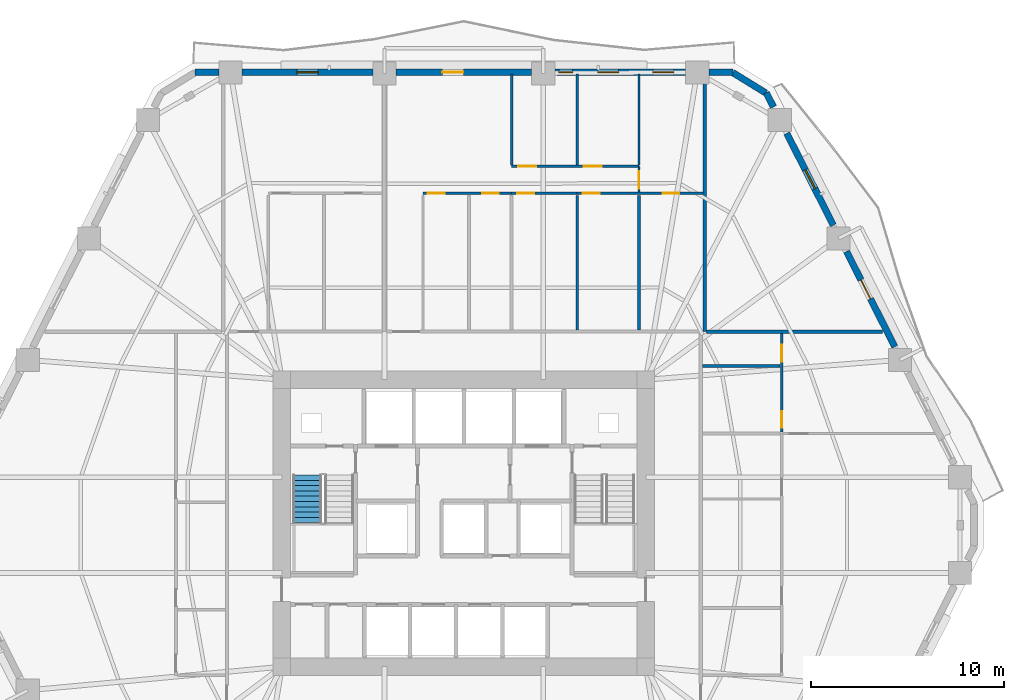
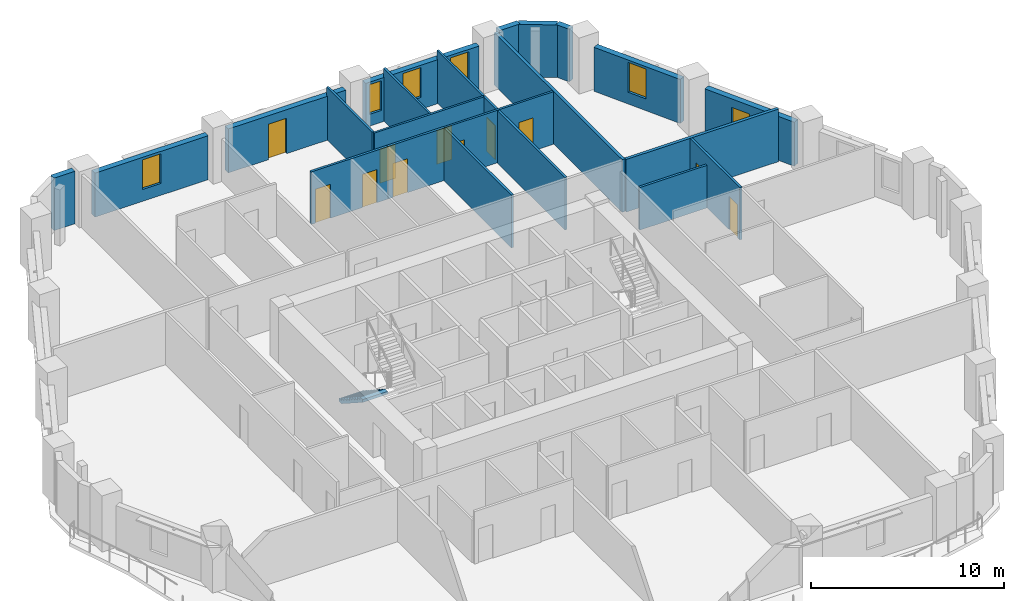
# One storey, part 7 of 13: 23 walls, 12 doors, 5 windows, 1 stair flight, 17 openings, 1 element without a shape of its own.
"""IFC4 building model written with IfcOpenShell, lengths in metres."""

from ifc_helpers import new_model, si_unit, direction, frame, frame_2d, origin, place, context, subcontext, project, spatial, polyline, rectangle, outline, extrude, material, layer, layer_set, type_object, element, fill, aggregate, save


model = new_model("IFC4")

# Units and contexts
model_context = context("Model", 3, precision=1e-05, world=origin(), true_north=direction((0.0, 1.0)))
body_context = subcontext(model_context, "Body", "Model", "MODEL_VIEW")
ifc_project = project(units=[si_unit("LENGTHUNIT", "METRE"), si_unit("AREAUNIT", "SQUARE_METRE"), si_unit("VOLUMEUNIT", "CUBIC_METRE"), si_unit("PLANEANGLEUNIT", "RADIAN"), si_unit("MASSUNIT", "GRAM", prefix="KILO")], contexts=[model_context])

# Site, building, storey
site_placement = place(None, origin())
site = spatial("IfcSite", under=ifc_project, at=site_placement, CompositionType="ELEMENT")
building_placement = place(site_placement, origin())
building = spatial("IfcBuilding", under=site, at=building_placement, Name="Cinnabar Lancet Tower", CompositionType="ELEMENT")
storey_placement = place(building_placement, frame((0.0, 0.0, 63.949951171875)))
storey = spatial("IfcBuildingStorey", under=building, at=storey_placement, Name="L16", CompositionType="ELEMENT", Elevation=63.949951171875)

# Walls
ifc_material_1 = material(Name="Fire-rated twin-frame acoustic drywall", Category="gypsum")
ifc_layer_1 = layer(ifc_material_1, 0.179931640625)
ifc_layer_set_1 = layer_set([ifc_layer_1], Name="Fire-rated twin-frame acoustic drywall")
wall_type_1 = type_object("IfcWallType", Name="ARC-WL-PARTY-180", PredefinedType="PARTITIONING", material=ifc_layer_set_1)
wall_1_placement = place(storey_placement, frame((44.89990234375, 35.85009765625, 0.0), z_axis=(0.0, 0.0, 1.0), x_axis=(0.0, 1.0, 0.0)))
element("IfcWall", 1, at=wall_1_placement, inside=storey, type_object=wall_type_1, Name="PW-L16-NPTY-449", PredefinedType="PARTITIONING", context=body_context, shape_type="SweptSolid", body=[
    extrude(rectangle(XDim=13.294921875, YDim=0.179931640625, at=frame_2d((6.6474609375, 0.0))), origin(), (0.0, 0.0, 1.0), 3.330078125),
])
wall_2_placement = place(storey_placement, frame((44.9951171875, 35.85009765625, 0.0), z_axis=(0.0, 0.0, 1.0), x_axis=(1.0, 0.0, 0.0)))
element("IfcWall", 2, at=wall_2_placement, inside=storey, type_object=wall_type_1, Name="PW-L16-ENB", PredefinedType="PARTITIONING", context=body_context, shape_type="SweptSolid", body=[
    extrude(rectangle(XDim=9.139892578125, YDim=0.179931640625, at=frame_2d((4.56982421875, 0.0))), origin(), (0.0, 0.0, 1.0), 3.330078125),
])

# Wall, openings, doors
ifc_material_2 = material(Name="Gypsum plasterboard stud partition", Category="gypsum")
ifc_layer_2 = layer(ifc_material_2, 0.125)
ifc_layer_set_2 = layer_set([ifc_layer_2], Name="Gypsum plasterboard stud partition")
wall_type_2 = type_object("IfcWallType", Name="ARC-WL-UNIT-125", PredefinedType="PARTITIONING", material=ifc_layer_set_2)
wall_3_placement = place(storey_placement, frame((38.284912109375, 43.029052734375, 0.0), z_axis=(0.0, 0.0, 1.0), x_axis=(1.0, 0.0, 0.0)))
wall_3 = element("IfcWall", 3, at=wall_3_placement, inside=storey, type_object=wall_type_2, Name="UW-L16-N02-SP2", PredefinedType="PARTITIONING", context=body_context, shape_type="SweptSolid", body=[
    extrude(rectangle(XDim=6.52001953125, YDim=0.125, at=frame_2d((3.260009765625, 0.0))), origin(), (0.0, 0.0, 1.0), 3.330078125),
])
opening_1_placement = place(wall_3_placement, frame((4.43896484375, 0.0, 0.0)))
opening_1 = element("IfcOpeningElement", 4, at=opening_1_placement, cuts=wall_3, Name="Opening BD-01", PredefinedType="OPENING", context=body_context, shape_type="SweptSolid", body=[
    extrude(rectangle(XDim=0.860107421875, YDim=2.10009765625, at=frame_2d((0.43017578125, 1.050048828125))), frame((0.0, 0.072509765625, 0.0), z_axis=(0.0, -1.0, 0.0), x_axis=(1.0, 0.0, 0.0)), (0.0, 0.0, 1.0), 0.14501953125),
])
opening_2_placement = place(wall_3_placement, frame((0.300048828125, 0.0, 0.0)))
opening_2 = element("IfcOpeningElement", 5, at=opening_2_placement, cuts=wall_3, Name="Opening RD-02", PredefinedType="OPENING", context=body_context, shape_type="SweptSolid", body=[
    extrude(rectangle(XDim=0.8798828125, YDim=2.14990234375, at=frame_2d((0.43994140625, 1.074951171875))), frame((0.0, 0.072509765625, 0.0), z_axis=(0.0, -1.0, 0.0), x_axis=(1.0, 0.0, 0.0)), (0.0, 0.0, 1.0), 0.14501953125),
])
ifc_material_3 = material(Name="Moisture-resistant timber bathroom door", Category="wood")
door_type_1 = type_object("IfcDoorType", Name="ARC-DR-BATH", OperationType="NOTDEFINED", PredefinedType="DOOR", material=ifc_material_3)
door_1_placement = place(opening_1_placement, origin())
door_1 = element("IfcDoor", 6, at=door_1_placement, inside=storey, type_object=door_type_1, Name="DR-L16-N02-ENS", OperationType="SINGLE_SWING_LEFT", OverallHeight=2.10009765625, OverallWidth=0.860107421875, PredefinedType="DOOR", context=body_context, shape_type="SweptSolid", body=[
    extrude(rectangle(XDim=0.860107421875, YDim=2.10009765625, at=frame_2d((0.43017578125, 1.050048828125))), frame((0.0, 0.02490234375, 0.0), z_axis=(0.0, -1.0, 0.0), x_axis=(1.0, 0.0, 0.0)), (0.0, 0.0, 1.0), 0.050048828125),
])
fill(opening_1, door_1)
ifc_material_4 = material(Name="Engineered timber study door", Category="wood")
door_type_2 = type_object("IfcDoorType", Name="ARC-DR-STUDY", OperationType="NOTDEFINED", PredefinedType="DOOR", material=ifc_material_4)
door_2_placement = place(opening_2_placement, origin())
door_2 = element("IfcDoor", 7, at=door_2_placement, inside=storey, type_object=door_type_2, Name="DR-L16-N02-DRS", OperationType="SINGLE_SWING_RIGHT", OverallHeight=2.14990234375, OverallWidth=0.8798828125, PredefinedType="DOOR", context=body_context, shape_type="SweptSolid", body=[
    extrude(rectangle(XDim=0.8798828125, YDim=2.14990234375, at=frame_2d((0.43994140625, 1.074951171875))), frame((0.0, 0.02490234375, 0.0), z_axis=(0.0, -1.0, 0.0), x_axis=(1.0, 0.0, 0.0)), (0.0, 0.0, 1.0), 0.050048828125),
])
fill(opening_2, door_2)

# Wall
wall_4_placement = place(storey_placement, frame((34.8779296875, 44.493896484375, 0.0), z_axis=(0.0, 0.0, 1.0), x_axis=(0.0, 1.0, 0.0)))
element("IfcWall", 8, at=wall_4_placement, inside=storey, type_object=wall_type_2, Name="UW-L16-N02-BD2W", PredefinedType="PARTITIONING", context=body_context, shape_type="SweptSolid", body=[
    extrude(rectangle(XDim=4.7412109375, YDim=0.125, at=frame_2d((2.37060546875, 0.0))), origin(), (0.0, 0.0, 1.0), 3.330078125),
])

# Wall, openings, doors
wall_5_placement = place(storey_placement, frame((34.8779296875, 44.428955078125, 0.0), z_axis=(0.0, 0.0, 1.0), x_axis=(1.0, 0.0, 0.0)))
wall_5 = element("IfcWall", 9, at=wall_5_placement, inside=storey, type_object=wall_type_2, Name="UW-L16-N02-HLN", PredefinedType="PARTITIONING", context=body_context, shape_type="SweptSolid", body=[
    extrude(rectangle(XDim=6.614990234375, YDim=0.125, at=frame_2d((3.3076171875, 0.0))), origin(), (0.0, 0.0, 1.0), 3.330078125),
])
opening_3_placement = place(wall_5_placement, frame((0.35009765625, 0.0, 0.0)))
opening_3 = element("IfcOpeningElement", 10, at=opening_3_placement, cuts=wall_5, Name="Opening RD-01", PredefinedType="OPENING", context=body_context, shape_type="SweptSolid", body=[
    extrude(rectangle(XDim=0.919921875, YDim=2.14990234375, at=frame_2d((0.4599609375, 1.074951171875))), frame((0.0, 0.072509765625, 0.0), z_axis=(0.0, -1.0, 0.0), x_axis=(1.0, 0.0, 0.0)), (0.0, 0.0, 1.0), 0.14501953125),
])
opening_4_placement = place(wall_5_placement, frame((3.757080078125, 0.0, 0.0)))
opening_4 = element("IfcOpeningElement", 11, at=opening_4_placement, cuts=wall_5, Name="Opening RD-01", PredefinedType="OPENING", context=body_context, shape_type="SweptSolid", body=[
    extrude(rectangle(XDim=0.919921875, YDim=2.14990234375, at=frame_2d((0.4599609375, 1.074951171875))), frame((0.0, 0.072509765625, 0.0), z_axis=(0.0, -1.0, 0.0), x_axis=(1.0, 0.0, 0.0)), (0.0, 0.0, 1.0), 0.14501953125),
])
ifc_material_5 = material(Name="Engineered timber bedroom door", Category="wood")
door_type_3 = type_object("IfcDoorType", Name="ARC-DR-ROOM", OperationType="NOTDEFINED", PredefinedType="DOOR", material=ifc_material_5)
door_3_placement = place(opening_3_placement, origin())
door_3 = element("IfcDoor", 12, at=door_3_placement, inside=storey, type_object=door_type_3, Name="DR-L16-N02-BD2", OperationType="SINGLE_SWING_LEFT", OverallHeight=2.14990234375, OverallWidth=0.919921875, PredefinedType="DOOR", context=body_context, shape_type="SweptSolid", body=[
    extrude(rectangle(XDim=0.919921875, YDim=2.14990234375, at=frame_2d((0.4599609375, 1.074951171875))), frame((0.0, 0.02490234375, 0.0), z_axis=(0.0, -1.0, 0.0), x_axis=(1.0, 0.0, 0.0)), (0.0, 0.0, 1.0), 0.050048828125),
])
fill(opening_3, door_3)
door_4_placement = place(opening_4_placement, origin())
door_4 = element("IfcDoor", 13, at=door_4_placement, inside=storey, type_object=door_type_3, Name="DR-L16-N02-BD3", OperationType="SINGLE_SWING_RIGHT", OverallHeight=2.14990234375, OverallWidth=0.919921875, PredefinedType="DOOR", context=body_context, shape_type="SweptSolid", body=[
    extrude(rectangle(XDim=0.919921875, YDim=2.14990234375, at=frame_2d((0.4599609375, 1.074951171875))), frame((0.0, 0.02490234375, 0.0), z_axis=(0.0, -1.0, 0.0), x_axis=(1.0, 0.0, 0.0)), (0.0, 0.0, 1.0), 0.050048828125),
])
fill(opening_4, door_4)

# Wall, opening, door
wall_6_placement = place(storey_placement, frame((41.492919921875, 43.09912109375, 0.0), z_axis=(0.0, 0.0, 1.0), x_axis=(0.0, 1.0, 0.0)))
wall_6 = element("IfcWall", 14, at=wall_6_placement, inside=storey, type_object=wall_type_2, Name="UW-L16-N02-MBE", PredefinedType="PARTITIONING", context=body_context, shape_type="SweptSolid", body=[
    extrude(rectangle(XDim=1.329833984375, YDim=0.125, at=frame_2d((0.6650390625, 0.0))), origin(), (0.0, 0.0, 1.0), 3.330078125),
])
opening_5_placement = place(wall_6_placement, frame((0.159912109375, 0.0, 0.0)))
opening_5 = element("IfcOpeningElement", 15, at=opening_5_placement, cuts=wall_6, Name="Opening RD-01", PredefinedType="OPENING", context=body_context, shape_type="SweptSolid", body=[
    extrude(rectangle(XDim=0.919921875, YDim=2.14990234375, at=frame_2d((0.4599609375, 1.074951171875))), frame((0.0, 0.072509765625, 0.0), z_axis=(0.0, -1.0, 0.0), x_axis=(1.0, 0.0, 0.0)), (0.0, 0.0, 1.0), 0.14501953125),
])
door_5_placement = place(opening_5_placement, origin())
door_5 = element("IfcDoor", 16, at=door_5_placement, inside=storey, type_object=door_type_3, Name="DR-L16-N02-MBD", OperationType="SINGLE_SWING_LEFT", OverallHeight=2.14990234375, OverallWidth=0.919921875, PredefinedType="DOOR", context=body_context, shape_type="SweptSolid", body=[
    extrude(rectangle(XDim=0.919921875, YDim=2.14990234375, at=frame_2d((0.4599609375, 1.074951171875))), frame((0.0, 0.02490234375, 0.0), z_axis=(0.0, -1.0, 0.0), x_axis=(1.0, 0.0, 0.0)), (0.0, 0.0, 1.0), 0.050048828125),
])
fill(opening_5, door_5)

# Walls
for number, where, z_axis, x_axis, name in (
    (17, (38.284912109375, 44.493896484375, 0.0), (0.0, 0.0, 1.0), (0.0, 1.0, 0.0), "UW-L16-N02-MB2W"),
    (18, (41.492919921875, 44.493896484375, 0.0), (0.0, 0.0, 1.0), (0.0, 1.0, 0.0), "UW-L16-N02-B23W"),
):
    element("IfcWall", number, at=place(storey_placement, frame(where, z_axis=z_axis, x_axis=x_axis)), inside=storey, type_object=wall_type_2, Name=name, PredefinedType="PARTITIONING", context=body_context, shape_type="SweptSolid", body=[
        extrude(rectangle(XDim=4.7412109375, YDim=0.125, at=frame_2d((2.37060546875, 0.0))), origin(), (0.0, 0.0, 1.0), 3.330078125),
    ])

# Wall, openings, doors
ifc_material_6 = material(Name="Moisture-resistant cement-board plumbing wall", Category="masonry")
ifc_layer_3 = layer(ifc_material_6, 0.139892578125)
ifc_layer_set_3 = layer_set([ifc_layer_3], Name="Moisture-resistant cement-board plumbing wall")
wall_type_3 = type_object("IfcWallType", Name="ARC-WL-WET-140", PredefinedType="PLUMBINGWALL", material=ifc_layer_set_3)
wall_7_placement = place(storey_placement, frame((30.278076171875, 43.029052734375, 0.0), z_axis=(0.0, 0.0, 1.0), x_axis=(1.0, 0.0, 0.0)))
wall_7 = element("IfcWall", 19, at=wall_7_placement, inside=storey, type_object=wall_type_3, Name="UW-L16-N02-SPL", PredefinedType="PLUMBINGWALL", context=body_context, shape_type="SweptSolid", body=[
    extrude(rectangle(XDim=4.599853515625, YDim=0.139892578125, at=frame_2d((2.2998046875, 0.0))), origin(), (0.0, 0.0, 1.0), 3.330078125),
])
opening_6_placement = place(wall_7_placement, frame((3.071044921875, 0.0, 0.0)))
opening_6 = element("IfcOpeningElement", 20, at=opening_6_placement, cuts=wall_7, Name="Opening BD-01", PredefinedType="OPENING", context=body_context, shape_type="SweptSolid", body=[
    extrude(rectangle(XDim=0.860107421875, YDim=2.10009765625, at=frame_2d((0.43017578125, 1.050048828125))), frame((0.0, 0.079833984375, 0.0), z_axis=(0.0, -1.0, 0.0), x_axis=(1.0, 0.0, 0.0)), (0.0, 0.0, 1.0), 0.159912109375),
])
opening_7_placement = place(wall_7_placement, frame((0.260009765625, 0.0, 0.0)))
opening_7 = element("IfcOpeningElement", 21, at=opening_7_placement, cuts=wall_7, Name="Opening RD-02", PredefinedType="OPENING", context=body_context, shape_type="SweptSolid", body=[
    extrude(rectangle(XDim=0.8798828125, YDim=2.14990234375, at=frame_2d((0.43994140625, 1.074951171875))), frame((0.0, 0.079833984375, 0.0), z_axis=(0.0, -1.0, 0.0), x_axis=(1.0, 0.0, 0.0)), (0.0, 0.0, 1.0), 0.159912109375),
])
door_6_placement = place(opening_6_placement, origin())
door_6 = element("IfcDoor", 22, at=door_6_placement, inside=storey, type_object=door_type_1, Name="DR-L16-N02-BTH", OperationType="SINGLE_SWING_RIGHT", OverallHeight=2.10009765625, OverallWidth=0.860107421875, PredefinedType="DOOR", context=body_context, shape_type="SweptSolid", body=[
    extrude(rectangle(XDim=0.860107421875, YDim=2.10009765625, at=frame_2d((0.43017578125, 1.050048828125))), frame((0.0, 0.02490234375, 0.0), z_axis=(0.0, -1.0, 0.0), x_axis=(1.0, 0.0, 0.0)), (0.0, 0.0, 1.0), 0.050048828125),
])
fill(opening_6, door_6)
door_7_placement = place(opening_7_placement, origin())
door_7 = element("IfcDoor", 23, at=door_7_placement, inside=storey, type_object=door_type_2, Name="DR-L16-N02-KIT", OperationType="SINGLE_SWING_LEFT", OverallHeight=2.14990234375, OverallWidth=0.8798828125, PredefinedType="DOOR", context=body_context, shape_type="SweptSolid", body=[
    extrude(rectangle(XDim=0.8798828125, YDim=2.14990234375, at=frame_2d((0.43994140625, 1.074951171875))), frame((0.0, 0.02490234375, 0.0), z_axis=(0.0, -1.0, 0.0), x_axis=(1.0, 0.0, 0.0)), (0.0, 0.0, 1.0), 0.050048828125),
])
fill(opening_7, door_7)

# Wall, opening, door
wall_8_placement = place(storey_placement, frame((34.8779296875, 43.029052734375, 0.0), z_axis=(0.0, 0.0, 1.0), x_axis=(1.0, 0.0, 0.0)))
wall_8 = element("IfcWall", 24, at=wall_8_placement, inside=storey, type_object=wall_type_3, Name="UW-L16-N02-SPM", PredefinedType="PLUMBINGWALL", context=body_context, shape_type="SweptSolid", body=[
    extrude(rectangle(XDim=3.406982421875, YDim=0.139892578125, at=frame_2d((1.70361328125, 0.0))), origin(), (0.0, 0.0, 1.0), 3.330078125),
])
opening_8_placement = place(wall_8_placement, frame((0.300048828125, 0.0, 0.0)))
opening_8 = element("IfcOpeningElement", 25, at=opening_8_placement, cuts=wall_8, Name="Opening RD-02", PredefinedType="OPENING", context=body_context, shape_type="SweptSolid", body=[
    extrude(rectangle(XDim=0.8798828125, YDim=2.14990234375, at=frame_2d((0.43994140625, 1.074951171875))), frame((0.0, 0.079833984375, 0.0), z_axis=(0.0, -1.0, 0.0), x_axis=(1.0, 0.0, 0.0)), (0.0, 0.0, 1.0), 0.159912109375),
])
door_8_placement = place(opening_8_placement, origin())
door_8 = element("IfcDoor", 26, at=door_8_placement, inside=storey, type_object=door_type_2, Name="DR-L16-N02-UTL", OperationType="SINGLE_SWING_RIGHT", OverallHeight=2.14990234375, OverallWidth=0.8798828125, PredefinedType="DOOR", context=body_context, shape_type="SweptSolid", body=[
    extrude(rectangle(XDim=0.8798828125, YDim=2.14990234375, at=frame_2d((0.43994140625, 1.074951171875))), frame((0.0, 0.02490234375, 0.0), z_axis=(0.0, -1.0, 0.0), x_axis=(1.0, 0.0, 0.0)), (0.0, 0.0, 1.0), 0.050048828125),
])
fill(opening_8, door_8)

# Walls
for number, where, z_axis, x_axis, name in (
    (27, (38.284912109375, 35.93505859375, 0.0), (0.0, 0.0, 1.0), (0.0, 1.0, 0.0), "UW-L16-N02-ENSE"),
    (28, (41.492919921875, 35.93505859375, 0.0), (0.0, 0.0, 1.0), (0.0, 1.0, 0.0), "UW-L16-N02-UT3"),
):
    element("IfcWall", number, at=place(storey_placement, frame(where, z_axis=z_axis, x_axis=x_axis)), inside=storey, type_object=wall_type_3, Name=name, PredefinedType="PLUMBINGWALL", context=body_context, shape_type="SweptSolid", body=[
        extrude(rectangle(XDim=6.989013671875, YDim=0.139892578125, at=frame_2d((3.49462890625, 0.0))), origin(), (0.0, 0.0, 1.0), 3.330078125),
    ])

# Wall, openings, doors
wall_9_placement = place(storey_placement, frame((48.89990234375, 30.6259765625, 0.0), z_axis=(0.0, 0.0, 1.0), x_axis=(0.0, 1.0, 0.0)))
wall_9 = element("IfcWall", 29, at=wall_9_placement, inside=storey, type_object=wall_type_3, Name="UW-L16-E01-SPM", PredefinedType="PLUMBINGWALL", context=body_context, shape_type="SweptSolid", body=[
    extrude(rectangle(XDim=5.12890625, YDim=0.139892578125, at=frame_2d((2.564453125, 0.0))), origin(), (0.0, 0.0, 1.0), 3.330078125),
])
opening_9_placement = place(wall_9_placement, frame((0.219970703125, 0.0, 0.0)))
opening_9 = element("IfcOpeningElement", 30, at=opening_9_placement, cuts=wall_9, Name="Opening BD-01", PredefinedType="OPENING", context=body_context, shape_type="SweptSolid", body=[
    extrude(rectangle(XDim=0.860107421875, YDim=2.10009765625, at=frame_2d((0.43017578125, 1.050048828125))), frame((0.0, 0.079833984375, 0.0), z_axis=(0.0, -1.0, 0.0), x_axis=(1.0, 0.0, 0.0)), (0.0, 0.0, 1.0), 0.159912109375),
])
opening_10_placement = place(wall_9_placement, frame((3.653076171875, 0.0, 0.0)))
opening_10 = element("IfcOpeningElement", 31, at=opening_10_placement, cuts=wall_9, Name="Opening RD-02", PredefinedType="OPENING", context=body_context, shape_type="SweptSolid", body=[
    extrude(rectangle(XDim=0.8798828125, YDim=2.14990234375, at=frame_2d((0.43994140625, 1.074951171875))), frame((0.0, 0.079833984375, 0.0), z_axis=(0.0, -1.0, 0.0), x_axis=(1.0, 0.0, 0.0)), (0.0, 0.0, 1.0), 0.159912109375),
])
door_9_placement = place(opening_9_placement, origin())
door_9 = element("IfcDoor", 32, at=door_9_placement, inside=storey, type_object=door_type_1, Name="DR-L16-E01-ENS", OperationType="SINGLE_SWING_LEFT", OverallHeight=2.10009765625, OverallWidth=0.860107421875, PredefinedType="DOOR", context=body_context, shape_type="SweptSolid", body=[
    extrude(rectangle(XDim=0.860107421875, YDim=2.10009765625, at=frame_2d((0.43017578125, 1.050048828125))), frame((0.0, 0.02490234375, 0.0), z_axis=(0.0, -1.0, 0.0), x_axis=(1.0, 0.0, 0.0)), (0.0, 0.0, 1.0), 0.050048828125),
])
fill(opening_9, door_9)
door_10_placement = place(opening_10_placement, origin())
door_10 = element("IfcDoor", 33, at=door_10_placement, inside=storey, type_object=door_type_2, Name="DR-L16-E01-EWDR", OperationType="SINGLE_SWING_RIGHT", OverallHeight=2.14990234375, OverallWidth=0.8798828125, PredefinedType="DOOR", context=body_context, shape_type="SweptSolid", body=[
    extrude(rectangle(XDim=0.8798828125, YDim=2.14990234375, at=frame_2d((0.43994140625, 1.074951171875))), frame((0.0, 0.02490234375, 0.0), z_axis=(0.0, -1.0, 0.0), x_axis=(1.0, 0.0, 0.0)), (0.0, 0.0, 1.0), 0.050048828125),
])
fill(opening_10, door_10)

# Walls
wall_10_placement = place(storey_placement, frame((44.784912109375, 34.05908203125, 0.0), z_axis=(0.0, 0.0, 1.0), x_axis=(1.0, 0.0, 0.0)))
element("IfcWall", 34, at=wall_10_placement, inside=storey, type_object=wall_type_3, Name="UW-L16-E01-EWDV", PredefinedType="PLUMBINGWALL", context=body_context, shape_type="SweptSolid", body=[
    extrude(rectangle(XDim=4.030029296875, YDim=0.139892578125, at=frame_2d((2.01513671875, 0.0))), origin(), (0.0, 0.0, 1.0), 2.699951171875),
])
ifc_material_7 = material(Name="Cinnabar red clay brick", Category="masonry")
ifc_layer_4 = layer(ifc_material_7, 0.340087890625)
ifc_layer_set_4 = layer_set([ifc_layer_4], Name="Cinnabar red clay brick")
wall_type_4 = type_object("IfcWallType", Name="ENV-WL-BRK-RED-340", PredefinedType="STANDARD", material=ifc_layer_set_4)
wall_11_placement = place(storey_placement, frame((48.080078125, 48.238037109375, 0.0), z_axis=(0.0, 0.0, 1.0), x_axis=(-0.851870104345, 0.523753114857, 0.0)))
element("IfcWall", 35, at=wall_11_placement, inside=storey, type_object=wall_type_4, Name="L16 Chamfered Corner Brick Pier 4.1", PredefinedType="STANDARD", context=body_context, shape_type="SweptSolid", body=[
    extrude(rectangle(XDim=2.017822265625, YDim=0.340087890625, at=frame_2d((1.0087890625, 0.0))), origin(), (0.0, 0.0, 1.0), 3.330078125),
])

# Wall, opening, door
wall_12_placement = place(storey_placement, frame((54.77587890625, 35.06103515625, 0.0), z_axis=(0.0, 0.0, 1.0), x_axis=(-0.451592100298, 0.892224509273, 0.0)))
wall_12 = element("IfcWall", 36, at=wall_12_placement, inside=storey, type_object=wall_type_4, Name="L16 Face 3 Masonry Bay Wall 3", PredefinedType="STANDARD", context=body_context, shape_type="SweptSolid", body=[
    extrude(rectangle(XDim=5.546875, YDim=0.340087890625, at=frame_2d((2.7734375, 0.0))), origin(), (0.0, 0.0, 1.0), 2.787109375),
])
opening_11_placement = place(wall_12_placement, frame((2.791015625, 0.0, 0.0)))
opening_11 = element("IfcOpeningElement", 37, at=opening_11_placement, cuts=wall_12, Name="Opening TD-01", PredefinedType="OPENING", context=body_context, shape_type="SweptSolid", body=[
    extrude(rectangle(XDim=1.10009765625, YDim=2.25, at=frame_2d((0.550048828125, 1.125))), frame((0.0, 0.179931640625, 0.0), z_axis=(0.0, -1.0, 0.0), x_axis=(1.0, 0.0, 0.0)), (0.0, 0.0, 1.0), 0.360107421875),
])
ifc_material_8 = material(Name="Thermally broken low-E glazed balcony terrace door", Category="wood")
door_type_4 = type_object("IfcDoorType", Name="ARC-DR-BALC", OperationType="NOTDEFINED", PredefinedType="DOOR", material=ifc_material_8)
door_11_placement = place(opening_11_placement, origin())
door_11 = element("IfcDoor", 38, at=door_11_placement, inside=storey, type_object=door_type_4, Name="L16 Face 3 Glazed Terrace Door", OperationType="SINGLE_SWING_LEFT", OverallHeight=2.25, OverallWidth=1.10009765625, PredefinedType="DOOR", context=body_context, shape_type="SweptSolid", body=[
    extrude(rectangle(XDim=1.10009765625, YDim=2.25, at=frame_2d((0.550048828125, 1.125))), frame((0.0, 0.02490234375, 0.0), z_axis=(0.0, -1.0, 0.0), x_axis=(1.0, 0.0, 0.0)), (0.0, 0.0, 1.0), 0.050048828125),
])
fill(opening_11, door_11)

# Wall, opening, window
wall_13_placement = place(storey_placement, frame((51.5830078125, 41.3720703125, 0.0), z_axis=(0.0, 0.0, 1.0), x_axis=(-0.451697561555, 0.892171123095, 0.0)))
wall_13 = element("IfcWall", 39, at=wall_13_placement, inside=storey, type_object=wall_type_4, Name="L16 Face 3 Masonry Bay Wall 4", PredefinedType="STANDARD", context=body_context, shape_type="SweptSolid", body=[
    extrude(rectangle(XDim=5.350830078125, YDim=0.340087890625, at=frame_2d((2.67529296875, 0.0))), origin(), (0.0, 0.0, 1.0), 2.787109375),
])
opening_12_placement = place(wall_13_placement, frame((2.125, 0.0, 0.75)))
opening_12 = element("IfcOpeningElement", 40, at=opening_12_placement, cuts=wall_13, Name="Opening WN-04", PredefinedType="OPENING", context=body_context, shape_type="SweptSolid", body=[
    extrude(rectangle(XDim=1.10009765625, YDim=1.886962890625, at=frame_2d((0.550048828125, 0.943359375))), frame((0.0, 0.179931640625, 0.0), z_axis=(0.0, -1.0, 0.0), x_axis=(1.0, 0.0, 0.0)), (0.0, 0.0, 1.0), 0.360107421875),
])
ifc_material_9 = material(Name="Thermally broken bronze-anodized aluminium tall lancet window", Category="aluminium")
window_type = type_object("IfcWindowType", Name="ENV-WN-LANCET-1100", PartitioningType="SINGLE_PANEL", PredefinedType="WINDOW", material=ifc_material_9)
window_1_placement = place(opening_12_placement, origin())
window_1 = element("IfcWindow", 41, at=window_1_placement, inside=storey, type_object=window_type, Name="L16 Face 3 Gothic Lancet Window 4", OverallHeight=1.886962890625, OverallWidth=1.10009765625, PartitioningType="SINGLE_PANEL", PredefinedType="WINDOW", context=body_context, shape_type="SweptSolid", body=[
    extrude(rectangle(XDim=1.10009765625, YDim=1.886962890625, at=frame_2d((0.550048828125, 0.943359375))), frame((0.0, 0.030029296875, 0.0), z_axis=(0.0, -1.0, 0.0), x_axis=(1.0, 0.0, 0.0)), (0.0, 0.0, 1.0), 0.06005859375),
])
fill(opening_12, window_1)

# Walls
wall_14_placement = place(storey_placement, frame((48.47802734375, 47.508056640625, 0.0), z_axis=(0.0, 0.0, 1.0), x_axis=(-0.451995771866, 0.892020079491, 0.0)))
element("IfcWall", 42, at=wall_14_placement, inside=storey, type_object=wall_type_4, Name="L16 Face 3 Masonry Bay Wall 5", PredefinedType="STANDARD", context=body_context, shape_type="SweptSolid", body=[
    extrude(rectangle(XDim=0.836181640625, YDim=0.340087890625, at=frame_2d((0.41796875, 0.0))), origin(), (0.0, 0.0, 1.0), 3.330078125),
])
wall_15_placement = place(storey_placement, frame((46.365966796875, 49.320068359375, 0.0), z_axis=(0.0, 0.0, 1.0), x_axis=(-1.0, 0.0, 0.0)))
element("IfcWall", 43, at=wall_15_placement, inside=storey, type_object=wall_type_4, Name="L16 Face 4 Masonry Bay Wall 1", PredefinedType="STANDARD", context=body_context, shape_type="SweptSolid", body=[
    extrude(rectangle(XDim=1.244873046875, YDim=0.340087890625, at=frame_2d((0.62255859375, 0.0))), origin(), (0.0, 0.0, 1.0), 3.330078125),
])

# Wall, openings, windows
wall_16_placement = place(storey_placement, frame((43.9130859375, 49.320068359375, 0.0), z_axis=(0.0, 0.0, 1.0), x_axis=(-1.0, 0.0, 0.0)))
wall_16 = element("IfcWall", 44, at=wall_16_placement, inside=storey, type_object=wall_type_4, Name="L16 Face 4 Masonry Bay Wall 2", PredefinedType="STANDARD", context=body_context, shape_type="SweptSolid", body=[
    extrude(rectangle(XDim=6.787109375, YDim=0.340087890625, at=frame_2d((3.3935546875, 0.0))), origin(), (0.0, 0.0, 1.0), 2.787109375),
])
opening_13_placement = place(wall_16_placement, frame((0.60400390625, 0.0, 0.75)))
opening_13 = element("IfcOpeningElement", 45, at=opening_13_placement, cuts=wall_16, Name="Opening WN-04", PredefinedType="OPENING", context=body_context, shape_type="SweptSolid", body=[
    extrude(rectangle(XDim=1.10009765625, YDim=1.886962890625, at=frame_2d((0.550048828125, 0.943359375))), frame((0.0, 0.179931640625, 0.0), z_axis=(0.0, -1.0, 0.0), x_axis=(1.0, 0.0, 0.0)), (0.0, 0.0, 1.0), 0.360107421875),
])
opening_14_placement = place(wall_16_placement, frame((3.47412109375, 0.0, 0.75)))
opening_14 = element("IfcOpeningElement", 46, at=opening_14_placement, cuts=wall_16, Name="Opening WN-04", PredefinedType="OPENING", context=body_context, shape_type="SweptSolid", body=[
    extrude(rectangle(XDim=1.10009765625, YDim=1.886962890625, at=frame_2d((0.550048828125, 0.943359375))), frame((0.0, 0.179931640625, 0.0), z_axis=(0.0, -1.0, 0.0), x_axis=(1.0, 0.0, 0.0)), (0.0, 0.0, 1.0), 0.360107421875),
])
opening_15_placement = place(wall_16_placement, frame((5.861083984375, 0.0, 0.75)))
opening_15 = element("IfcOpeningElement", 47, at=opening_15_placement, cuts=wall_16, Name="Opening WN-04", PredefinedType="OPENING", context=body_context, shape_type="SweptSolid", body=[
    extrude(rectangle(XDim=0.716064453125, YDim=1.886962890625, at=frame_2d((0.35791015625, 0.943359375))), frame((0.0, 0.179931640625, 0.0), z_axis=(0.0, -1.0, 0.0), x_axis=(1.0, 0.0, 0.0)), (0.0, 0.0, 1.0), 0.360107421875),
])
window_2_placement = place(opening_13_placement, origin())
window_2 = element("IfcWindow", 48, at=window_2_placement, inside=storey, type_object=window_type, Name="L16 Face 4 Gothic Lancet Window 2", OverallHeight=1.886962890625, OverallWidth=1.10009765625, PartitioningType="SINGLE_PANEL", PredefinedType="WINDOW", context=body_context, shape_type="SweptSolid", body=[
    extrude(rectangle(XDim=1.10009765625, YDim=1.886962890625, at=frame_2d((0.550048828125, 0.943359375))), frame((0.0, 0.030029296875, 0.0), z_axis=(0.0, -1.0, 0.0), x_axis=(1.0, 0.0, 0.0)), (0.0, 0.0, 1.0), 0.06005859375),
])
fill(opening_13, window_2)
window_3_placement = place(opening_14_placement, origin())
window_3 = element("IfcWindow", 49, at=window_3_placement, inside=storey, type_object=window_type, Name="L16 Split-Bay Gothic Lancet Window 39", OverallHeight=1.886962890625, OverallWidth=1.10009765625, PartitioningType="SINGLE_PANEL", PredefinedType="WINDOW", context=body_context, shape_type="SweptSolid", body=[
    extrude(rectangle(XDim=1.10009765625, YDim=1.886962890625, at=frame_2d((0.550048828125, 0.943359375))), frame((0.0, 0.030029296875, 0.0), z_axis=(0.0, -1.0, 0.0), x_axis=(1.0, 0.0, 0.0)), (0.0, 0.0, 1.0), 0.06005859375),
])
fill(opening_14, window_3)
window_4_placement = place(opening_15_placement, origin())
window_4 = element("IfcWindow", 50, at=window_4_placement, inside=storey, type_object=window_type, Name="L16 Dwelling Gothic Lancet Window 307", OverallHeight=1.886962890625, OverallWidth=0.716064453125, PartitioningType="SINGLE_PANEL", PredefinedType="WINDOW", context=body_context, shape_type="SweptSolid", body=[
    extrude(rectangle(XDim=0.716064453125, YDim=1.886962890625, at=frame_2d((0.35791015625, 0.943359375))), frame((0.0, 0.030029296875, 0.0), z_axis=(0.0, -1.0, 0.0), x_axis=(1.0, 0.0, 0.0)), (0.0, 0.0, 1.0), 0.06005859375),
])
fill(opening_15, window_4)

# Wall, opening, door
wall_17_placement = place(storey_placement, frame((35.91796875, 49.320068359375, 0.0), z_axis=(0.0, 0.0, 1.0), x_axis=(-1.0, 0.0, 0.0)))
wall_17 = element("IfcWall", 51, at=wall_17_placement, inside=storey, type_object=wall_type_4, Name="L16 Face 4 Masonry Bay Wall 3", PredefinedType="STANDARD", context=body_context, shape_type="SweptSolid", body=[
    extrude(rectangle(XDim=7.035888671875, YDim=0.340087890625, at=frame_2d((3.51806640625, 0.0))), origin(), (0.0, 0.0, 1.0), 2.787109375),
])
opening_16_placement = place(wall_17_placement, frame((3.5390625, 0.0, 0.0)))
opening_16 = element("IfcOpeningElement", 52, at=opening_16_placement, cuts=wall_17, Name="Opening TD-01", PredefinedType="OPENING", context=body_context, shape_type="SweptSolid", body=[
    extrude(rectangle(XDim=1.10009765625, YDim=2.25, at=frame_2d((0.550048828125, 1.125))), frame((0.0, 0.179931640625, 0.0), z_axis=(0.0, -1.0, 0.0), x_axis=(1.0, 0.0, 0.0)), (0.0, 0.0, 1.0), 0.360107421875),
])
door_12_placement = place(opening_16_placement, origin())
door_12 = element("IfcDoor", 53, at=door_12_placement, inside=storey, type_object=door_type_4, Name="L16 Face 4 Glazed Terrace Door", OperationType="SINGLE_SWING_RIGHT", OverallHeight=2.25, OverallWidth=1.10009765625, PredefinedType="DOOR", context=body_context, shape_type="SweptSolid", body=[
    extrude(rectangle(XDim=1.10009765625, YDim=2.25, at=frame_2d((0.550048828125, 1.125))), frame((0.0, 0.02490234375, 0.0), z_axis=(0.0, -1.0, 0.0), x_axis=(1.0, 0.0, 0.0)), (0.0, 0.0, 1.0), 0.050048828125),
])
fill(opening_16, door_12)

# Wall, opening, window
wall_18_placement = place(storey_placement, frame((27.674072265625, 49.320068359375, 0.0), z_axis=(0.0, 0.0, 1.0), x_axis=(-1.0, 0.0, 0.0)))
wall_18 = element("IfcWall", 54, at=wall_18_placement, inside=storey, type_object=wall_type_4, Name="L16 Face 4 Masonry Bay Wall 4", PredefinedType="STANDARD", context=body_context, shape_type="SweptSolid", body=[
    extrude(rectangle(XDim=6.787109375, YDim=0.340087890625, at=frame_2d((3.3935546875, 0.0))), origin(), (0.0, 0.0, 1.0), 2.787109375),
])
opening_17_placement = place(wall_18_placement, frame((2.843017578125, 0.0, 0.75)))
opening_17 = element("IfcOpeningElement", 55, at=opening_17_placement, cuts=wall_18, Name="Opening WN-04", PredefinedType="OPENING", context=body_context, shape_type="SweptSolid", body=[
    extrude(rectangle(XDim=1.10009765625, YDim=1.886962890625, at=frame_2d((0.550048828125, 0.943359375))), frame((0.0, 0.179931640625, 0.0), z_axis=(0.0, -1.0, 0.0), x_axis=(1.0, 0.0, 0.0)), (0.0, 0.0, 1.0), 0.360107421875),
])
window_5_placement = place(opening_17_placement, origin())
window_5 = element("IfcWindow", 56, at=window_5_placement, inside=storey, type_object=window_type, Name="L16 Face 4 Gothic Lancet Window 4", OverallHeight=1.886962890625, OverallWidth=1.10009765625, PartitioningType="SINGLE_PANEL", PredefinedType="WINDOW", context=body_context, shape_type="SweptSolid", body=[
    extrude(rectangle(XDim=1.10009765625, YDim=1.886962890625, at=frame_2d((0.550048828125, 0.943359375))), frame((0.0, 0.030029296875, 0.0), z_axis=(0.0, -1.0, 0.0), x_axis=(1.0, 0.0, 0.0)), (0.0, 0.0, 1.0), 0.06005859375),
])
fill(opening_17, window_5)

# Wall
wall_19_placement = place(storey_placement, frame((19.678955078125, 49.320068359375, 0.0), z_axis=(0.0, 0.0, 1.0), x_axis=(-1.0, 0.0, 0.0)))
element("IfcWall", 57, at=wall_19_placement, inside=storey, type_object=wall_type_4, Name="L16 Face 4 Masonry Bay Wall 5", PredefinedType="STANDARD", context=body_context, shape_type="SweptSolid", body=[
    extrude(rectangle(XDim=1.244873046875, YDim=0.340087890625, at=frame_2d((0.62255859375, 0.0))), origin(), (0.0, 0.0, 1.0), 3.330078125),
])

# Stair, stair flight
ifc_material_10 = material(Name="Concrete C40/50", Category="concrete")
stair_type = type_object("IfcStairType", Name="ST-CORE", PredefinedType="HALF_TURN_STAIR", material=ifc_material_10)
stair_placement = place(storey_placement, origin())
stair = element("IfcStair", 58, at=stair_placement, inside=storey, type_object=stair_type, Name="L16 ST-1", PredefinedType="HALF_TURN_STAIR")
ifc_material_11 = material(Name="Concrete C40/50", Category="concrete")
stair_flight_type = type_object("IfcStairFlightType", Name="FLIGHT-CORE", PredefinedType="STRAIGHT", material=ifc_material_11)
stair_flight_placement = place(storey_placement, frame((24.27490234375, 28.39990234375, 0.0), z_axis=(0.0, 0.0, 1.0), x_axis=(0.0, -1.0, 0.0)))
stair_flight = element("IfcStairFlight", 59, at=stair_flight_placement, type_object=stair_flight_type, Name="ST-1 flight 1", NumberOfRisers=10, NumberOfTreads=9, PredefinedType="STRAIGHT", RiserHeight=0.1775, TreadLength=0.275, context=body_context, shape_type="SweptSolid", body=[
    extrude(outline(polyline([(0.0, 0.0), (0.0, 0.177490234375), (0.27490234375, 0.177490234375), (0.27490234375, 0.35498046875), (0.550048828125, 0.35498046875), (0.550048828125, 0.532470703125), (0.824951171875, 0.532470703125), (0.824951171875, 0.7099609375), (1.10009765625, 0.7099609375), (1.10009765625, 0.887451171875), (1.375, 0.887451171875), (1.375, 1.06494140625), (1.64990234375, 1.06494140625), (1.64990234375, 1.242431640625), (1.925048828125, 1.242431640625), (1.925048828125, 1.419921875), (2.199951171875, 1.419921875), (2.199951171875, 1.597412109375), (2.47509765625, 1.597412109375), (2.47509765625, 1.77490234375), (2.47509765625, 1.419189453125), (0.2763671875, 0.0), (0.0, 0.0)])), frame((0.0, 0.75, 0.0), z_axis=(0.0, -1.0, 0.0), x_axis=(1.0, 0.0, 0.0)), (0.0, 0.0, 1.0), 1.5),
])
aggregate(stair, [stair_flight])

save(model, "model.ifc")
